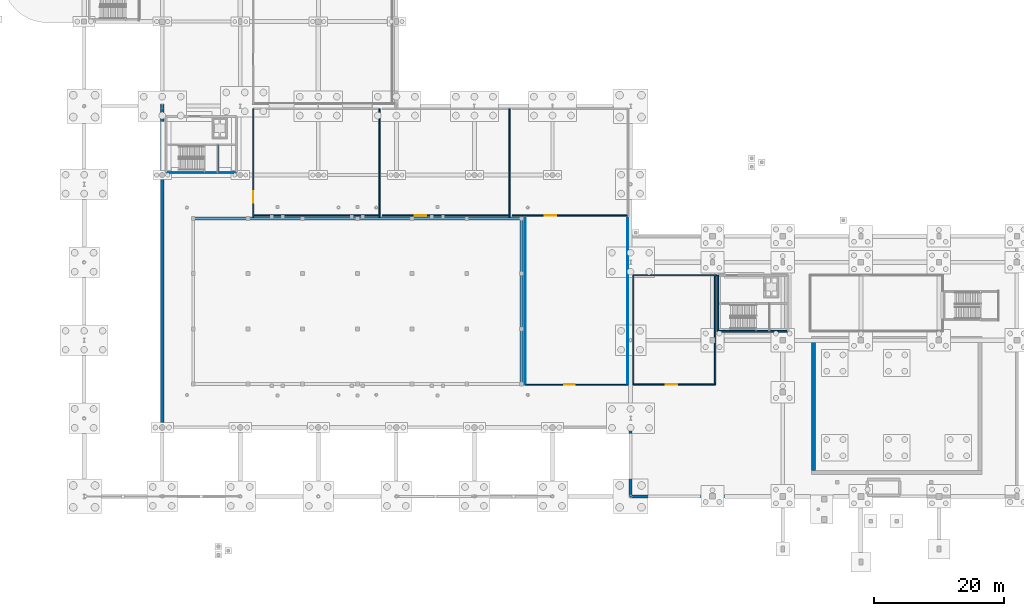
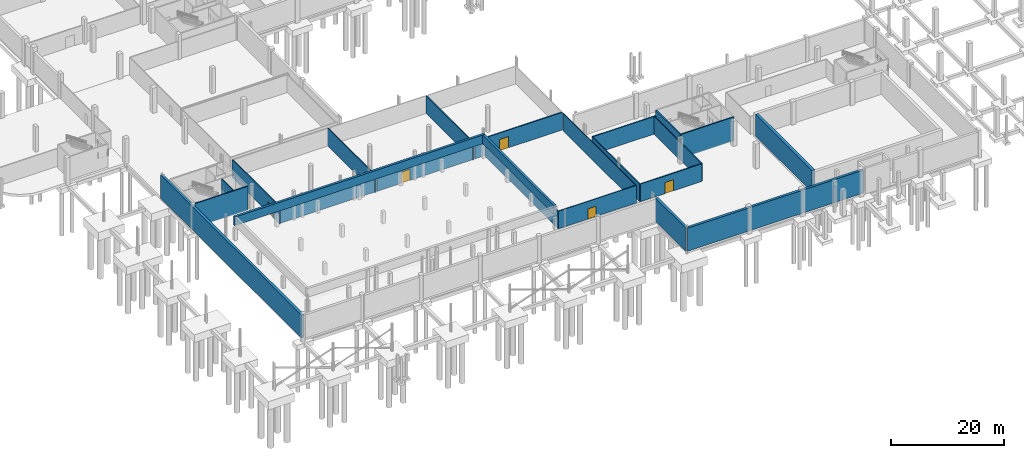
# One storey, part 27 of 42: 23 walls, 5 doors, 5 openings.
"""IFC4 building model written with IfcOpenShell, lengths in metres."""

from ifc_helpers import new_model, si_unit, direction, frame, frame_2d, origin, place, context, subcontext, project, spatial, rectangle, extrude, material, layer, layer_set, type_object, element, fill, save


model = new_model("IFC4")

# Units and contexts
model_context = context("Model", 3, precision=1e-05, world=origin(), true_north=direction((0.0, 1.0)))
body_context = subcontext(model_context, "Body", "Model", "MODEL_VIEW")
ifc_project = project(units=[si_unit("LENGTHUNIT", "METRE"), si_unit("AREAUNIT", "SQUARE_METRE"), si_unit("VOLUMEUNIT", "CUBIC_METRE"), si_unit("PLANEANGLEUNIT", "RADIAN"), si_unit("MASSUNIT", "GRAM", prefix="KILO"), si_unit("THERMODYNAMICTEMPERATUREUNIT", "KELVIN"), si_unit("POWERUNIT", "WATT")], contexts=[model_context])

# Site, building, storey
site_placement = place(None, origin())
site = spatial("IfcSite", under=ifc_project, at=site_placement, CompositionType="ELEMENT")
building_placement = place(site_placement, origin())
building = spatial("IfcBuilding", under=site, at=building_placement, Name="Solmara Park Aquatics Centre", CompositionType="ELEMENT")
storey_placement = place(building_placement, frame((0.0, 0.0, -5.39990234375)))
storey = spatial("IfcBuildingStorey", under=building, at=storey_placement, Name="B1", CompositionType="ELEMENT", Elevation=-5.39990234375)

# Walls
ifc_material_1 = material(Name="Concrete C40/50", Category="concrete")
ifc_layer_1 = layer(ifc_material_1, 0.25, Name="Concrete C40/50")
ifc_layer_set_1 = layer_set([ifc_layer_1], Name="Concrete C40/50")
wall_type_1 = type_object("IfcWallType", Name="ARC-WL-CORE250", PredefinedType="SHEAR", material=ifc_layer_set_1)
wall_1_placement = place(storey_placement, frame((110.0, 38.0, -0.150146484375), z_axis=(0.0, 0.0, 1.0), x_axis=(1.0, 0.0, 0.0)))
element("IfcWall", 1, at=wall_1_placement, inside=storey, type_object=wall_type_1, Name="CORE-3 Core Wall S B1", PredefinedType="SHEAR", context=body_context, shape_type="SweptSolid", body=[
    extrude(rectangle(XDim=10.800048828125, YDim=0.25, at=frame_2d((5.39990234375, 0.0))), origin(), (0.0, 0.0, 1.0), 5.130126953125),
])
wall_2_placement = place(storey_placement, frame((110.0, 38.0, -0.150146484375), z_axis=(0.0, 0.0, 1.0), x_axis=(0.0, 1.0, 0.0)))
element("IfcWall", 2, at=wall_2_placement, inside=storey, type_object=wall_type_1, Name="CORE-3 Core Wall W B1", PredefinedType="SHEAR", context=body_context, shape_type="SweptSolid", body=[
    extrude(rectangle(XDim=8.60009765625, YDim=0.25, at=frame_2d((4.300048828125, 0.0))), origin(), (0.0, 0.0, 1.0), 5.130126953125),
])
wall_3_placement = place(storey_placement, frame((25.199951171875, 62.39990234375, -0.150146484375), z_axis=(0.0, 0.0, 1.0), x_axis=(1.0, 0.0, 0.0)))
element("IfcWall", 3, at=wall_3_placement, inside=storey, type_object=wall_type_1, Name="CORE-4 Core Wall S B1", PredefinedType="SHEAR", context=body_context, shape_type="SweptSolid", body=[
    extrude(rectangle(XDim=10.800048828125, YDim=0.25, at=frame_2d((5.39990234375, 0.0))), origin(), (0.0, 0.0, 1.0), 5.130126953125),
])

# Wall, opening, door
ifc_material_2 = material(Name="Concrete C25/30 Autoclaved Aerated Fire Blockwork", Category="masonry")
ifc_layer_2 = layer(ifc_material_2, 0.199951171875, Name="Concrete C25/30 Autoclaved Aerated Fire Blockwork")
ifc_layer_set_2 = layer_set([ifc_layer_2], Name="Concrete C25/30 Autoclaved Aerated Fire Blockwork")
wall_type_2 = type_object("IfcWallType", Name="ARC-WL-FIRE200", PredefinedType="SOLIDWALL", material=ifc_layer_set_2)
wall_4_placement = place(storey_placement, frame((38.60009765625, 55.550048828125, 0.0), z_axis=(0.0, 0.0, 1.0), x_axis=(0.0, 1.0, 0.0)))
wall_4 = element("IfcWall", 4, at=wall_4_placement, inside=storey, type_object=wall_type_2, Name="Interior Partition IW-B1-0001 (B1-PLT-01)", PredefinedType="SOLIDWALL", context=body_context, shape_type="SweptSolid", body=[
    extrude(rectangle(XDim=16.64990234375, YDim=0.199951171875, at=frame_2d((8.324951171875, 0.0))), origin(), (0.0, 0.0, 1.0), 3.7998046875),
])
opening_1_placement = place(wall_4_placement, frame((2.199951171875, 0.0, 0.0)))
opening_1 = element("IfcOpeningElement", 5, at=opening_1_placement, cuts=wall_4, Name="Opening D-14", PredefinedType="OPENING", context=body_context, shape_type="SweptSolid", body=[
    extrude(rectangle(XDim=1.800048828125, YDim=2.39990234375, at=frame_2d((0.89990234375, 1.199951171875))), frame((0.0, 0.10986328125, 0.0), z_axis=(0.0, -1.0, 0.0), x_axis=(1.0, 0.0, 0.0)), (0.0, 0.0, 1.0), 0.219970703125),
])
ifc_material_3 = material(Name="Stainless Steel", Category="steel")
door_type_1 = type_object("IfcDoorType", Name="ARC-DR-PLT180x240", OperationType="DOUBLE_DOOR_SINGLE_SWING", PredefinedType="DOOR", material=ifc_material_3)
door_1_placement = place(opening_1_placement, frame((1.800048828125, 0.0, 0.0), z_axis=(0.0, 0.0, 1.0), x_axis=(-1.0, 0.0, 0.0)))
door_1 = element("IfcDoor", 6, at=door_1_placement, inside=storey, type_object=door_type_1, Name="Competition Pool Ozone Filtration and UV Treatment Hall Door", OperationType="DOUBLE_DOOR_SINGLE_SWING", OverallHeight=2.39990234375, OverallWidth=1.800048828125, PredefinedType="DOOR", context=body_context, shape_type="SweptSolid", body=[
    extrude(rectangle(XDim=1.800048828125, YDim=2.39990234375, at=frame_2d((0.89990234375, 1.199951171875))), frame((0.0, 0.02490234375, 0.0), z_axis=(0.0, -1.0, 0.0), x_axis=(1.0, 0.0, 0.0)), (0.0, 0.0, 1.0), 0.050048828125),
])
fill(opening_1, door_1)

# Walls
wall_5_placement = place(storey_placement, frame((38.60009765625, 55.800048828125, 0.0), z_axis=(0.0, 0.0, 1.0), x_axis=(1.0, 0.0, 0.0)))
element("IfcWall", 7, at=wall_5_placement, inside=storey, type_object=wall_type_2, Name="Interior Partition IW-B1-0002 (B1-PLT-01)", PredefinedType="SOLIDWALL", context=body_context, shape_type="SweptSolid", body=[
    extrude(rectangle(XDim=19.39990234375, YDim=0.199951171875, at=frame_2d((9.699951171875, 0.0))), origin(), (0.0, 0.0, 1.0), 3.7998046875),
])
wall_6_placement = place(storey_placement, frame((58.0, 55.550048828125, 0.0), z_axis=(0.0, 0.0, 1.0), x_axis=(0.0, 1.0, 0.0)))
element("IfcWall", 8, at=wall_6_placement, inside=storey, type_object=wall_type_2, Name="Interior Partition IW-B1-0003 (B1-PLT-01)", PredefinedType="SOLIDWALL", context=body_context, shape_type="SweptSolid", body=[
    extrude(rectangle(XDim=16.64990234375, YDim=0.199951171875, at=frame_2d((8.324951171875, 0.0))), origin(), (0.0, 0.0, 1.0), 3.7998046875),
])

# Wall, opening, door
wall_7_placement = place(storey_placement, frame((58.39990234375, 55.800048828125, 0.0), z_axis=(0.0, 0.0, 1.0), x_axis=(1.0, 0.0, 0.0)))
wall_7 = element("IfcWall", 9, at=wall_7_placement, inside=storey, type_object=wall_type_2, Name="Interior Partition IW-B1-0005 (B1-PLT-02)", PredefinedType="SOLIDWALL", context=body_context, shape_type="SweptSolid", body=[
    extrude(rectangle(XDim=19.60009765625, YDim=0.199951171875, at=frame_2d((9.800048828125, 0.0))), origin(), (0.0, 0.0, 1.0), 3.7998046875),
])
opening_2_placement = place(wall_7_placement, frame((5.0, 0.0, 0.0)))
opening_2 = element("IfcOpeningElement", 10, at=opening_2_placement, cuts=wall_7, Name="Opening D-14", PredefinedType="OPENING", context=body_context, shape_type="SweptSolid", body=[
    extrude(rectangle(XDim=1.800048828125, YDim=2.39990234375, at=frame_2d((0.89990234375, 1.199951171875))), frame((0.0, 0.10986328125, 0.0), z_axis=(0.0, -1.0, 0.0), x_axis=(1.0, 0.0, 0.0)), (0.0, 0.0, 1.0), 0.219970703125),
])
door_2_placement = place(opening_2_placement, frame((1.800048828125, 0.0, 0.0), z_axis=(0.0, 0.0, 1.0), x_axis=(-1.0, 0.0, 0.0)))
door_2 = element("IfcDoor", 11, at=door_2_placement, inside=storey, type_object=door_type_1, Name="Competition Pool Surge Balance Tank and Dosing Chamber Door", OperationType="DOUBLE_DOOR_SINGLE_SWING", OverallHeight=2.39990234375, OverallWidth=1.800048828125, PredefinedType="DOOR", context=body_context, shape_type="SweptSolid", body=[
    extrude(rectangle(XDim=1.800048828125, YDim=2.39990234375, at=frame_2d((0.89990234375, 1.199951171875))), frame((0.0, 0.02490234375, 0.0), z_axis=(0.0, -1.0, 0.0), x_axis=(1.0, 0.0, 0.0)), (0.0, 0.0, 1.0), 0.050048828125),
])
fill(opening_2, door_2)

# Wall
wall_8_placement = place(storey_placement, frame((78.0, 55.550048828125, 0.0), z_axis=(0.0, 0.0, 1.0), x_axis=(0.0, 1.0, 0.0)))
element("IfcWall", 12, at=wall_8_placement, inside=storey, type_object=wall_type_2, Name="Interior Partition IW-B1-0006 (B1-PLT-02)", PredefinedType="SOLIDWALL", context=body_context, shape_type="SweptSolid", body=[
    extrude(rectangle(XDim=16.64990234375, YDim=0.199951171875, at=frame_2d((8.324951171875, 0.0))), origin(), (0.0, 0.0, 1.0), 3.7998046875),
])

# Wall, opening, door
wall_9_placement = place(storey_placement, frame((78.39990234375, 55.800048828125, 0.0), z_axis=(0.0, 0.0, 1.0), x_axis=(1.0, 0.0, 0.0)))
wall_9 = element("IfcWall", 13, at=wall_9_placement, inside=storey, type_object=wall_type_2, Name="Interior Partition IW-B1-0008 (B1-PLT-03)", PredefinedType="SOLIDWALL", context=body_context, shape_type="SweptSolid", body=[
    extrude(rectangle(XDim=17.800048828125, YDim=0.199951171875, at=frame_2d((8.89990234375, 0.0))), origin(), (0.0, 0.0, 1.0), 3.7998046875),
])
opening_3_placement = place(wall_9_placement, frame((5.0, 0.0, 0.0)))
opening_3 = element("IfcOpeningElement", 14, at=opening_3_placement, cuts=wall_9, Name="Opening D-14", PredefinedType="OPENING", context=body_context, shape_type="SweptSolid", body=[
    extrude(rectangle(XDim=1.800048828125, YDim=2.39990234375, at=frame_2d((0.89990234375, 1.199951171875))), frame((0.0, 0.10986328125, 0.0), z_axis=(0.0, -1.0, 0.0), x_axis=(1.0, 0.0, 0.0)), (0.0, 0.0, 1.0), 0.219970703125),
])
door_3_placement = place(opening_3_placement, frame((1.800048828125, 0.0, 0.0), z_axis=(0.0, 0.0, 1.0), x_axis=(-1.0, 0.0, 0.0)))
door_3 = element("IfcDoor", 15, at=door_3_placement, inside=storey, type_object=door_type_1, Name="Natatorium Dehumidification Air-Handling Plant Door", OperationType="DOUBLE_DOOR_SINGLE_SWING", OverallHeight=2.39990234375, OverallWidth=1.800048828125, PredefinedType="DOOR", context=body_context, shape_type="SweptSolid", body=[
    extrude(rectangle(XDim=1.800048828125, YDim=2.39990234375, at=frame_2d((0.89990234375, 1.199951171875))), frame((0.0, 0.02490234375, 0.0), z_axis=(0.0, -1.0, 0.0), x_axis=(1.0, 0.0, 0.0)), (0.0, 0.0, 1.0), 0.050048828125),
])
fill(opening_3, door_3)

# Wall
wall_10_placement = place(storey_placement, frame((97.0, 29.800048828125, 0.0), z_axis=(0.0, 0.0, 1.0), x_axis=(0.0, 1.0, 0.0)))
element("IfcWall", 16, at=wall_10_placement, inside=storey, type_object=wall_type_2, Name="Interior Partition IW-B1-0014 (B1-PLT-04)", PredefinedType="SOLIDWALL", context=body_context, shape_type="SweptSolid", body=[
    extrude(rectangle(XDim=16.800048828125, YDim=0.199951171875, at=frame_2d((8.39990234375, 0.0))), origin(), (0.0, 0.0, 1.0), 3.7998046875),
])

# Wall, opening, door
wall_11_placement = place(storey_placement, frame((97.0, 29.800048828125, 0.0), z_axis=(0.0, 0.0, 1.0), x_axis=(1.0, 0.0, 0.0)))
wall_11 = element("IfcWall", 17, at=wall_11_placement, inside=storey, type_object=wall_type_2, Name="Interior Partition IW-B1-0015 (B1-PLT-04)", PredefinedType="SOLIDWALL", context=body_context, shape_type="SweptSolid", body=[
    extrude(rectangle(XDim=12.60009765625, YDim=0.199951171875, at=frame_2d((6.300048828125, 0.0))), origin(), (0.0, 0.0, 1.0), 3.7998046875),
])
opening_4_placement = place(wall_11_placement, frame((5.0, 0.0, 0.0)))
opening_4 = element("IfcOpeningElement", 18, at=opening_4_placement, cuts=wall_11, Name="Opening D-14", PredefinedType="OPENING", context=body_context, shape_type="SweptSolid", body=[
    extrude(rectangle(XDim=1.800048828125, YDim=2.39990234375, at=frame_2d((0.89990234375, 1.199951171875))), frame((0.0, 0.10986328125, 0.0), z_axis=(0.0, -1.0, 0.0), x_axis=(1.0, 0.0, 0.0)), (0.0, 0.0, 1.0), 0.219970703125),
])
door_4_placement = place(opening_4_placement, frame((1.800048828125, 0.0, 0.0), z_axis=(0.0, 0.0, 1.0), x_axis=(-1.0, 0.0, 0.0)))
door_4 = element("IfcDoor", 19, at=door_4_placement, inside=storey, type_object=door_type_1, Name="Diving Well Filtration, Air-Cushion Sparger and Heat-Pump Plant Door", OperationType="DOUBLE_DOOR_SINGLE_SWING", OverallHeight=2.39990234375, OverallWidth=1.800048828125, PredefinedType="DOOR", context=body_context, shape_type="SweptSolid", body=[
    extrude(rectangle(XDim=1.800048828125, YDim=2.39990234375, at=frame_2d((0.89990234375, 1.199951171875))), frame((0.0, 0.02490234375, 0.0), z_axis=(0.0, -1.0, 0.0), x_axis=(1.0, 0.0, 0.0)), (0.0, 0.0, 1.0), 0.050048828125),
])
fill(opening_4, door_4)

# Walls
wall_12_placement = place(storey_placement, frame((109.60009765625, 29.800048828125, 0.0), z_axis=(0.0, 0.0, 1.0), x_axis=(0.0, 1.0, 0.0)))
element("IfcWall", 20, at=wall_12_placement, inside=storey, type_object=wall_type_2, Name="Interior Partition IW-B1-0016 (B1-PLT-04)", PredefinedType="SOLIDWALL", context=body_context, shape_type="SweptSolid", body=[
    extrude(rectangle(XDim=16.800048828125, YDim=0.199951171875, at=frame_2d((8.39990234375, 0.0))), origin(), (0.0, 0.0, 1.0), 3.7998046875),
])
wall_13_placement = place(storey_placement, frame((97.0, 46.60009765625, 0.0), z_axis=(0.0, 0.0, 1.0), x_axis=(1.0, 0.0, 0.0)))
element("IfcWall", 21, at=wall_13_placement, inside=storey, type_object=wall_type_2, Name="Interior Partition IW-B1-0017 (B1-PLT-04)", PredefinedType="SOLIDWALL", context=body_context, shape_type="SweptSolid", body=[
    extrude(rectangle(XDim=12.875, YDim=0.199951171875, at=frame_2d((6.4375, 0.0))), origin(), (0.0, 0.0, 1.0), 3.7998046875),
])
ifc_material_4 = material(Name="Cement-Rendered Masonry Partition", Category="masonry")
ifc_layer_3 = layer(ifc_material_4, 0.14990234375, Name="Cement-Rendered Masonry Partition")
ifc_layer_set_3 = layer_set([ifc_layer_3], Name="Cement-Rendered Masonry Partition")
wall_type_3 = type_object("IfcWallType", Name="ARC-WL-MAS150", PredefinedType="PARTITIONING", material=ifc_layer_set_3)
wall_14_placement = place(storey_placement, frame((80.39990234375, 29.800048828125, 0.0), z_axis=(0.0, 0.0, 1.0), x_axis=(0.0, 1.0, 0.0)))
element("IfcWall", 22, at=wall_14_placement, inside=storey, type_object=wall_type_3, Name="Interior Partition IW-B1-0011 (B1-STR-01)", PredefinedType="PARTITIONING", context=body_context, shape_type="SweptSolid", body=[
    extrude(rectangle(XDim=25.599853515625, YDim=0.14990234375, at=frame_2d((12.7998046875, 0.0))), origin(), (0.0, 0.0, 1.0), 3.7998046875),
])

# Wall, opening, door
wall_15_placement = place(storey_placement, frame((80.39990234375, 29.800048828125, 0.0), z_axis=(0.0, 0.0, 1.0), x_axis=(1.0, 0.0, 0.0)))
wall_15 = element("IfcWall", 23, at=wall_15_placement, inside=storey, type_object=wall_type_3, Name="Interior Partition IW-B1-0012 (B1-STR-01)", PredefinedType="PARTITIONING", context=body_context, shape_type="SweptSolid", body=[
    extrude(rectangle(XDim=15.800048828125, YDim=0.14990234375, at=frame_2d((7.89990234375, 0.0))), origin(), (0.0, 0.0, 1.0), 3.7998046875),
])
opening_5_placement = place(wall_15_placement, frame((6.0, 0.0, 0.0)))
opening_5 = element("IfcOpeningElement", 24, at=opening_5_placement, cuts=wall_15, Name="Opening D-19", PredefinedType="OPENING", context=body_context, shape_type="SweptSolid", body=[
    extrude(rectangle(XDim=1.60009765625, YDim=2.199951171875, at=frame_2d((0.800048828125, 1.10009765625))), frame((0.0, 0.0849609375, 0.0), z_axis=(0.0, -1.0, 0.0), x_axis=(1.0, 0.0, 0.0)), (0.0, 0.0, 1.0), 0.169921875),
])
ifc_material_5 = material(Name="Moisture-Resistant HPL & Hardwood", Category="wood")
door_type_2 = type_object("IfcDoorType", Name="ARC-DR-DBL160x220", OperationType="DOUBLE_DOOR_SINGLE_SWING", PredefinedType="DOOR", material=ifc_material_5)
door_5_placement = place(opening_5_placement, origin())
door_5 = element("IfcDoor", 25, at=door_5_placement, inside=storey, type_object=door_type_2, Name="Sub-Deck Lane Line and Timing Equipment Store Door", OperationType="DOUBLE_DOOR_SINGLE_SWING", OverallHeight=2.199951171875, OverallWidth=1.60009765625, PredefinedType="DOOR", context=body_context, shape_type="SweptSolid", body=[
    extrude(rectangle(XDim=1.60009765625, YDim=2.199951171875, at=frame_2d((0.800048828125, 1.10009765625))), frame((0.0, 0.02490234375, 0.0), z_axis=(0.0, -1.0, 0.0), x_axis=(1.0, 0.0, 0.0)), (0.0, 0.0, 1.0), 0.050048828125),
])
fill(opening_5, door_5)

# Walls
wall_16_placement = place(storey_placement, frame((96.199951171875, 29.800048828125, 0.0), z_axis=(0.0, 0.0, 1.0), x_axis=(0.0, 1.0, 0.0)))
element("IfcWall", 26, at=wall_16_placement, inside=storey, type_object=wall_type_3, Name="Interior Partition IW-B1-0013 (B1-STR-01)", PredefinedType="PARTITIONING", context=body_context, shape_type="SweptSolid", body=[
    extrude(rectangle(XDim=25.599853515625, YDim=0.14990234375, at=frame_2d((12.7998046875, 0.0))), origin(), (0.0, 0.0, 1.0), 3.7998046875),
])
ifc_material_6 = material(Name="Watertight Concrete C45/55", Category="concrete")
ifc_layer_4 = layer(ifc_material_6, 0.5, Name="Watertight Concrete C45/55")
ifc_layer_set_4 = layer_set([ifc_layer_4], Name="Watertight Concrete C45/55")
wall_type_4 = type_object("IfcWallType", Name="STR-WL-RET500", PredefinedType="USERDEFINED", material=ifc_layer_set_4)
wall_17_placement = place(storey_placement, frame((96.60009765625, 23.199951171875, 0.0), z_axis=(0.0, 0.0, 1.0), x_axis=(0.0, -1.0, 0.0)))
element("IfcWall", 27, at=wall_17_placement, inside=storey, type_object=wall_type_4, Name="Basement Perimeter Retaining Wall 02", ObjectType="RETAINING WALL", PredefinedType="USERDEFINED", context=body_context, shape_type="SweptSolid", body=[
    extrude(rectangle(XDim=10.599853515625, YDim=0.5, at=frame_2d((5.2998046875, 0.0))), origin(), (0.0, 0.0, 1.0), 4.97998046875),
])
wall_18_placement = place(storey_placement, frame((96.60009765625, 12.60009765625, 0.0), z_axis=(0.0, 0.0, 1.0), x_axis=(1.0, 0.0, 0.0)))
element("IfcWall", 28, at=wall_18_placement, inside=storey, type_object=wall_type_4, Name="Basement Perimeter Retaining Wall 03", ObjectType="RETAINING WALL", PredefinedType="USERDEFINED", context=body_context, shape_type="SweptSolid", body=[
    extrude(rectangle(XDim=35.7998046875, YDim=0.5, at=frame_2d((17.89990234375, 0.0))), origin(), (0.0, 0.0, 1.0), 4.97998046875),
])
wall_19_placement = place(storey_placement, frame((24.60009765625, 23.199951171875, 0.0), z_axis=(0.0, 0.0, 1.0), x_axis=(0.0, 1.0, 0.0)))
element("IfcWall", 29, at=wall_19_placement, inside=storey, type_object=wall_type_4, Name="Basement Perimeter Retaining Wall 12", ObjectType="RETAINING WALL", PredefinedType="USERDEFINED", context=body_context, shape_type="SweptSolid", body=[
    extrude(rectangle(XDim=49.75, YDim=0.5, at=frame_2d((24.875, 0.0))), origin(), (0.0, 0.0, 1.0), 4.97998046875),
])
ifc_material_7 = material(Name="Concrete C35/45", Category="concrete")
ifc_layer_5 = layer(ifc_material_7, 0.199951171875, Name="Concrete C35/45")
ifc_layer_set_5 = layer_set([ifc_layer_5], Name="Concrete C35/45")
wall_type_5 = type_object("IfcWallType", Name="STR-WL-STAIR200", PredefinedType="SHEAR", material=ifc_layer_set_5)
wall_20_placement = place(storey_placement, frame((33.159912109375, 62.52001953125, -0.150146484375), z_axis=(0.0, 0.0, 1.0), x_axis=(0.0, 1.0, 0.0)))
element("IfcWall", 30, at=wall_20_placement, inside=storey, type_object=wall_type_5, Name="CORE-4 Stairwell East End Wall B1", PredefinedType="SHEAR", context=body_context, shape_type="SweptSolid", body=[
    extrude(rectangle(XDim=4.054931640625, YDim=0.199951171875, at=frame_2d((2.02734375, 0.0))), origin(), (0.0, 0.0, 1.0), 5.130126953125),
])
ifc_layer_6 = layer(ifc_material_6, 0.449951171875, Name="Watertight Concrete C45/55")
ifc_layer_set_6 = layer_set([ifc_layer_6], Name="Watertight Concrete C45/55")
wall_type_6 = type_object("IfcWallType", Name="STR-WL-TANK450", PredefinedType="SOLIDWALL", material=ifc_layer_set_6)
wall_21_placement = place(storey_placement, frame((29.14990234375, 55.324951171875, 3.199951171875), z_axis=(0.0, 0.0, 1.0), x_axis=(1.0, 0.0, 0.0)))
element("IfcWall", 31, at=wall_21_placement, inside=storey, type_object=wall_type_6, Name="50m Olympic Competition Pool Watertight Wall WL-POOL-1-N", PredefinedType="SOLIDWALL", context=body_context, shape_type="SweptSolid", body=[
    extrude(rectangle(XDim=50.900146484375, YDim=0.449951171875, at=frame_2d((25.4501953125, 0.0))), origin(), (0.0, 0.0, 1.0), 1.85986328125),
])
wall_22_placement = place(storey_placement, frame((79.824951171875, 30.10009765625, 3.199951171875), z_axis=(0.0, 0.0, 1.0), x_axis=(0.0, 1.0, 0.0)))
element("IfcWall", 32, at=wall_22_placement, inside=storey, type_object=wall_type_6, Name="50m Olympic Competition Pool Watertight Wall WL-POOL-1-E", PredefinedType="SOLIDWALL", context=body_context, shape_type="SweptSolid", body=[
    extrude(rectangle(XDim=25.0, YDim=0.449951171875, at=frame_2d((12.5, 0.0))), origin(), (0.0, 0.0, 1.0), 1.85986328125),
])
ifc_layer_7 = layer(ifc_material_6, 0.60009765625, Name="Watertight Concrete C45/55")
ifc_layer_set_7 = layer_set([ifc_layer_7], Name="Watertight Concrete C45/55")
wall_type_7 = type_object("IfcWallType", Name="STR-WL-TANK600", PredefinedType="SOLIDWALL", material=ifc_layer_set_7)
wall_23_placement = place(storey_placement, frame((124.699951171875, 16.60009765625, 0.39990234375), z_axis=(0.0, 0.0, 1.0), x_axis=(0.0, 1.0, 0.0)))
element("IfcWall", 33, at=wall_23_placement, inside=storey, type_object=wall_type_7, Name="Diving Well Pool Watertight Wall WL-POOL-2-W", PredefinedType="SOLIDWALL", context=body_context, shape_type="SweptSolid", body=[
    extrude(rectangle(XDim=20.0, YDim=0.60009765625, at=frame_2d((10.0, 0.0))), origin(), (0.0, 0.0, 1.0), 4.659912109375),
])

save(model, "model.ifc")
